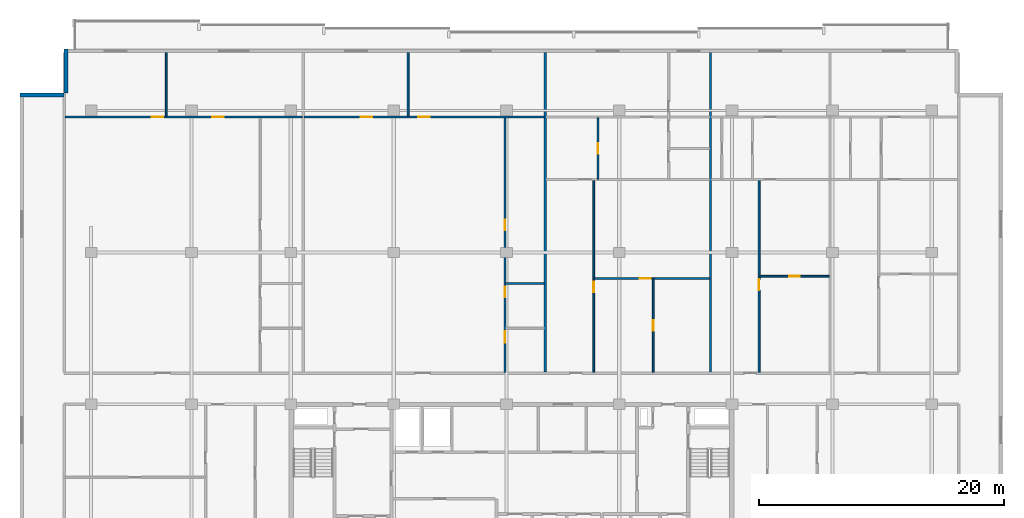
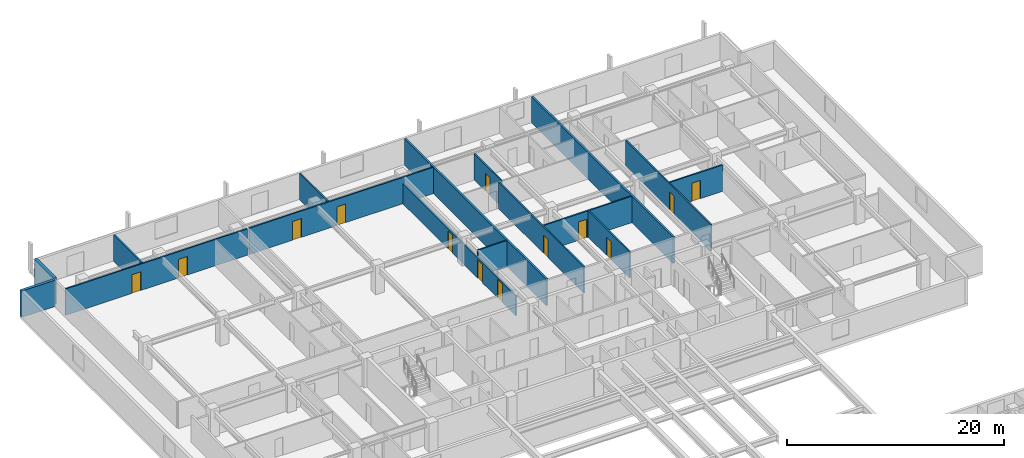
# One storey, part 13 of 21: 16 walls, 13 doors, 13 openings.
"""IFC4 building model written with IfcOpenShell, lengths in metres."""

from ifc_helpers import new_model, si_unit, direction, frame, frame_2d, origin, place, context, subcontext, project, spatial, rectangle, extrude, material, layer, layer_set, type_object, element, fill, save


model = new_model("IFC4")

# Units and contexts
model_context = context("Model", 3, precision=1e-05, world=origin(), true_north=direction((0.0, 1.0)))
body_context = subcontext(model_context, "Body", "Model", "MODEL_VIEW")
ifc_project = project(units=[si_unit("LENGTHUNIT", "METRE"), si_unit("AREAUNIT", "SQUARE_METRE"), si_unit("VOLUMEUNIT", "CUBIC_METRE"), si_unit("PLANEANGLEUNIT", "RADIAN"), si_unit("MASSUNIT", "GRAM", prefix="KILO")], contexts=[model_context])

# Site, building, storey
site_placement = place(None, origin())
site = spatial("IfcSite", under=ifc_project, at=site_placement, CompositionType="ELEMENT")
building_placement = place(site_placement, origin())
building = spatial("IfcBuilding", under=site, at=building_placement, Name="Korimba Cascade Residences", CompositionType="ELEMENT")
storey_placement = place(building_placement, frame((0.0, 0.0, 136.050048828125)))
storey = spatial("IfcBuildingStorey", under=building, at=storey_placement, Name="L39", CompositionType="ELEMENT", Elevation=136.050048828125)

# Walls
ifc_material_1 = material(Name="Precast concrete C40/50", Category="concrete")
ifc_layer_1 = layer(ifc_material_1, 0.300048828125)
ifc_layer_set_1 = layer_set([ifc_layer_1], Name="Precast concrete C40/50")
wall_type_1 = type_object("IfcWallType", Name="EW-STONE-300", PredefinedType="STANDARD", material=ifc_layer_set_1)
wall_1_placement = place(storey_placement, frame((57.75, 96.199951171875, 0.0), z_axis=(0.0, 0.0, 1.0), x_axis=(0.0, -1.0, 0.0)))
element("IfcWall", 1, at=wall_1_placement, inside=storey, type_object=wall_type_1, Name="L39 T1 Perimeter Stone Wall E07", PredefinedType="STANDARD", context=body_context, shape_type="SweptSolid", body=[
    extrude(rectangle(XDim=3.599853515625, YDim=0.300048828125, at=frame_2d((1.7998046875, 0.0))), origin(), (0.0, 0.0, 1.0), 2.9599609375),
])
wall_2_placement = place(storey_placement, frame((57.60009765625, 92.449951171875, 0.0), z_axis=(0.0, 0.0, 1.0), x_axis=(-1.0, 0.0, 0.0)))
element("IfcWall", 2, at=wall_2_placement, inside=storey, type_object=wall_type_1, Name="L39 T1 Perimeter Stone Wall E08", PredefinedType="STANDARD", context=body_context, shape_type="SweptSolid", body=[
    extrude(rectangle(XDim=3.60009765625, YDim=0.300048828125, at=frame_2d((1.800048828125, 0.0))), origin(), (0.0, 0.0, 1.0), 2.9599609375),
])
ifc_layer_2 = layer(ifc_material_1, 0.199951171875)
ifc_layer_set_2 = layer_set([ifc_layer_2], Name="Precast concrete C40/50")
wall_type_2 = type_object("IfcWallType", Name="WAL-IT-200", PredefinedType="PARTITIONING", material=ifc_layer_set_2)
for number, where, z_axis, x_axis, name in (
    (3, (96.85009765625, 69.830078125, 0.0), (0.0, 0.0, 1.0), (0.0, 1.0, 0.0), "L39 Partition Wall WAL-L39-T1-DEM-2"),
    (4, (110.35009765625, 69.830078125, 0.0), (0.0, 0.0, 1.0), (0.0, 1.0, 0.0), "L39 Partition Wall WAL-L39-T1-DEM-3"),
):
    element("IfcWall", number, at=place(storey_placement, frame(where, z_axis=z_axis, x_axis=x_axis)), inside=storey, type_object=wall_type_2, Name=name, PredefinedType="PARTITIONING", context=body_context, shape_type="SweptSolid", body=[
        extrude(rectangle(XDim=26.06982421875, YDim=0.199951171875, at=frame_2d((13.034912109375, 0.0))), origin(), (0.0, 0.0, 1.0), 2.9599609375),
    ])
ifc_material_2 = material(Name="Insulated Acoustic Stud Partition", Category="gypsum")
ifc_layer_3 = layer(ifc_material_2, 0.14990234375)
ifc_layer_set_3 = layer_set([ifc_layer_3], Name="Insulated Acoustic Stud Partition")
wall_type_3 = type_object("IfcWallType", Name="WAL-PART-150", PredefinedType="PARTITIONING", material=ifc_layer_set_3)
wall_3_placement = place(storey_placement, frame((65.929931640625, 90.72998046875, 0.0), z_axis=(0.0, 0.0, 1.0), x_axis=(0.0, 1.0, 0.0)))
element("IfcWall", 5, at=wall_3_placement, inside=storey, type_object=wall_type_3, Name="L39 Partition Wall WAL-L39-T1-U01-OUTV", PredefinedType="PARTITIONING", context=body_context, shape_type="SweptSolid", body=[
    extrude(rectangle(XDim=5.169921875, YDim=0.14990234375, at=frame_2d((2.5849609375, 0.0))), origin(), (0.0, 0.0, 1.0), 2.9599609375),
])

# Wall, openings, doors
wall_4_placement = place(storey_placement, frame((57.679931640625, 90.64990234375, 0.0), z_axis=(0.0, 0.0, 1.0), x_axis=(1.0, 0.0, 0.0)))
wall_4 = element("IfcWall", 6, at=wall_4_placement, inside=storey, type_object=wall_type_3, Name="L39 Partition Wall WAL-L39-T1-U01-HZ", PredefinedType="PARTITIONING", context=body_context, shape_type="SweptSolid", body=[
    extrude(rectangle(XDim=19.340087890625, YDim=0.14990234375, at=frame_2d((9.669921875, 0.0))), origin(), (0.0, 0.0, 1.0), 2.9599609375),
])
opening_1_placement = place(wall_4_placement, frame((7.06005859375, 0.0, 0.0)))
opening_1 = element("IfcOpeningElement", 7, at=opening_1_placement, cuts=wall_4, Name="Opening D-IN0", PredefinedType="OPENING", context=body_context, shape_type="SweptSolid", body=[
    extrude(rectangle(XDim=0.93994140625, YDim=2.10009765625, at=frame_2d((0.469970703125, 1.050048828125))), frame((0.0, 0.0849609375, 0.0), z_axis=(0.0, -1.0, 0.0), x_axis=(1.0, 0.0, 0.0)), (0.0, 0.0, 1.0), 0.169921875),
])
opening_2_placement = place(wall_4_placement, frame((11.98876953125, 0.0, 0.0)))
opening_2 = element("IfcOpeningElement", 8, at=opening_2_placement, cuts=wall_4, Name="Opening D-IN0", PredefinedType="OPENING", context=body_context, shape_type="SweptSolid", body=[
    extrude(rectangle(XDim=0.93994140625, YDim=2.10009765625, at=frame_2d((0.469970703125, 1.050048828125))), frame((0.0, 0.0849609375, 0.0), z_axis=(0.0, -1.0, 0.0), x_axis=(1.0, 0.0, 0.0)), (0.0, 0.0, 1.0), 0.169921875),
])
ifc_material_3 = material(Name="Acoustic Timber Living Archway Door", Category="wood")
door_type_1 = type_object("IfcDoorType", Name="DR-INT-950", OperationType="NOTDEFINED", PredefinedType="DOOR", material=ifc_material_3)
door_1_placement = place(opening_1_placement, origin())
door_1 = element("IfcDoor", 9, at=door_1_placement, inside=storey, type_object=door_type_1, Name="L39-T1-U01 Executive Co-Working Office Door", OperationType="SINGLE_SWING_LEFT", OverallHeight=2.10009765625, OverallWidth=0.93994140625, PredefinedType="DOOR", context=body_context, shape_type="SweptSolid", body=[
    extrude(rectangle(XDim=0.93994140625, YDim=2.10009765625, at=frame_2d((0.469970703125, 1.050048828125))), frame((0.0, 0.02490234375, 0.0), z_axis=(0.0, -1.0, 0.0), x_axis=(1.0, 0.0, 0.0)), (0.0, 0.0, 1.0), 0.050048828125),
])
fill(opening_1, door_1)
door_2_placement = place(opening_2_placement, origin())
door_2 = element("IfcDoor", 10, at=door_2_placement, inside=storey, type_object=door_type_1, Name="L39-T1-U01 Focus Workstation Office Door", OperationType="SINGLE_SWING_RIGHT", OverallHeight=2.10009765625, OverallWidth=0.93994140625, PredefinedType="DOOR", context=body_context, shape_type="SweptSolid", body=[
    extrude(rectangle(XDim=0.93994140625, YDim=2.10009765625, at=frame_2d((0.469970703125, 1.050048828125))), frame((0.0, 0.02490234375, 0.0), z_axis=(0.0, -1.0, 0.0), x_axis=(1.0, 0.0, 0.0)), (0.0, 0.0, 1.0), 0.050048828125),
])
fill(opening_2, door_2)

# Wall
wall_5_placement = place(storey_placement, frame((93.639892578125, 77.070068359375, 0.0), z_axis=(0.0, 0.0, 1.0), x_axis=(1.0, 0.0, 0.0)))
element("IfcWall", 11, at=wall_5_placement, inside=storey, type_object=wall_type_3, Name="L39 Partition Wall WAL-L39-T1-U02-WCH2", PredefinedType="PARTITIONING", context=body_context, shape_type="SweptSolid", body=[
    extrude(rectangle(XDim=3.130126953125, YDim=0.14990234375, at=frame_2d((1.56494140625, 0.0))), origin(), (0.0, 0.0, 1.0), 2.9599609375),
])

# Wall, openings, doors
wall_6_placement = place(storey_placement, frame((93.580078125, 69.81005859375, 0.0), z_axis=(0.0, 0.0, 1.0), x_axis=(0.0, 1.0, 0.0)))
wall_6 = element("IfcWall", 12, at=wall_6_placement, inside=storey, type_object=wall_type_3, Name="L39 Partition Wall WAL-L39-T1-U02-WCV", PredefinedType="PARTITIONING", context=body_context, shape_type="SweptSolid", body=[
    extrude(rectangle(XDim=20.780029296875, YDim=0.14990234375, at=frame_2d((10.39013671875, 0.0))), origin(), (0.0, 0.0, 1.0), 2.26708984375),
])
opening_3_placement = place(wall_6_placement, frame((2.406005859375, 0.0, 0.0)))
opening_3 = element("IfcOpeningElement", 13, at=opening_3_placement, cuts=wall_6, Name="Opening D-AC1", PredefinedType="OPENING", context=body_context, shape_type="SweptSolid", body=[
    extrude(rectangle(XDim=0.9599609375, YDim=2.10009765625, at=frame_2d((0.47998046875, 1.050048828125))), frame((0.0, 0.0849609375, 0.0), z_axis=(0.0, -1.0, 0.0), x_axis=(1.0, 0.0, 0.0)), (0.0, 0.0, 1.0), 0.169921875),
])
opening_4_placement = place(wall_6_placement, frame((6.132568359375, 0.0, 0.0)))
opening_4 = element("IfcOpeningElement", 14, at=opening_4_placement, cuts=wall_6, Name="Opening D-IN2", PredefinedType="OPENING", context=body_context, shape_type="SweptSolid", body=[
    extrude(rectangle(XDim=0.8798828125, YDim=2.06005859375, at=frame_2d((0.43994140625, 1.030029296875))), frame((0.0, 0.0849609375, 0.0), z_axis=(0.0, -1.0, 0.0), x_axis=(1.0, 0.0, 0.0)), (0.0, 0.0, 1.0), 0.169921875),
])
opening_5_placement = place(wall_6_placement, frame((11.61474609375, 0.0, 0.0)))
opening_5 = element("IfcOpeningElement", 15, at=opening_5_placement, cuts=wall_6, Name="Opening D-BT1", PredefinedType="OPENING", context=body_context, shape_type="SweptSolid", body=[
    extrude(rectangle(XDim=0.840087890625, YDim=2.0400390625, at=frame_2d((0.419921875, 1.02001953125))), frame((0.0, 0.0849609375, 0.0), z_axis=(0.0, -1.0, 0.0), x_axis=(1.0, 0.0, 0.0)), (0.0, 0.0, 1.0), 0.169921875),
])
ifc_material_4 = material(Name="Accessible Acoustic Timber WC Door", Category="wood")
door_type_2 = type_object("IfcDoorType", Name="DR-ACC-950", OperationType="NOTDEFINED", PredefinedType="DOOR", material=ifc_material_4)
door_3_placement = place(opening_3_placement, origin())
door_3 = element("IfcDoor", 16, at=door_3_placement, inside=storey, type_object=door_type_2, Name="L39-T1-U02 Accessible WC Door", OperationType="SINGLE_SWING_LEFT", OverallHeight=2.10009765625, OverallWidth=0.9599609375, PredefinedType="DOOR", context=body_context, shape_type="SweptSolid", body=[
    extrude(rectangle(XDim=0.9599609375, YDim=2.10009765625, at=frame_2d((0.47998046875, 1.050048828125))), frame((0.0, 0.02490234375, 0.0), z_axis=(0.0, -1.0, 0.0), x_axis=(1.0, 0.0, 0.0)), (0.0, 0.0, 1.0), 0.050048828125),
])
fill(opening_3, door_3)
ifc_material_5 = material(Name="Moisture-Resistant Bathroom Timber Door", Category="wood")
door_type_3 = type_object("IfcDoorType", Name="DR-INT-850", OperationType="NOTDEFINED", PredefinedType="DOOR", material=ifc_material_5)
door_4_placement = place(opening_5_placement, origin())
door_4 = element("IfcDoor", 17, at=door_4_placement, inside=storey, type_object=door_type_3, Name="L39-T1-U02 Suite Store Door", OperationType="SINGLE_SWING_LEFT", OverallHeight=2.0400390625, OverallWidth=0.840087890625, PredefinedType="DOOR", context=body_context, shape_type="SweptSolid", body=[
    extrude(rectangle(XDim=0.840087890625, YDim=2.0400390625, at=frame_2d((0.419921875, 1.02001953125))), frame((0.0, 0.02490234375, 0.0), z_axis=(0.0, -1.0, 0.0), x_axis=(1.0, 0.0, 0.0)), (0.0, 0.0, 1.0), 0.050048828125),
])
fill(opening_5, door_4)
ifc_material_6 = material(Name="Acoustic Timber Bedroom Door", Category="wood")
door_type_4 = type_object("IfcDoorType", Name="DR-INT-880", OperationType="NOTDEFINED", PredefinedType="DOOR", material=ifc_material_6)
door_5_placement = place(opening_4_placement, origin())
door_5 = element("IfcDoor", 18, at=door_5_placement, inside=storey, type_object=door_type_4, Name="L39-T1-U02 Restroom WC Door", OperationType="SINGLE_SWING_RIGHT", OverallHeight=2.06005859375, OverallWidth=0.8798828125, PredefinedType="DOOR", context=body_context, shape_type="SweptSolid", body=[
    extrude(rectangle(XDim=0.8798828125, YDim=2.06005859375, at=frame_2d((0.43994140625, 1.030029296875))), frame((0.0, 0.02490234375, 0.0), z_axis=(0.0, -1.0, 0.0), x_axis=(1.0, 0.0, 0.0)), (0.0, 0.0, 1.0), 0.050048828125),
])
fill(opening_4, door_5)

# Wall
wall_7_placement = place(storey_placement, frame((85.669921875, 90.72998046875, 0.0), z_axis=(0.0, 0.0, 1.0), x_axis=(0.0, 1.0, 0.0)))
element("IfcWall", 19, at=wall_7_placement, inside=storey, type_object=wall_type_3, Name="L39 Partition Wall WAL-L39-T1-U02-OUTV", PredefinedType="PARTITIONING", context=body_context, shape_type="SweptSolid", body=[
    extrude(rectangle(XDim=5.169921875, YDim=0.14990234375, at=frame_2d((2.5849609375, 0.0))), origin(), (0.0, 0.0, 1.0), 2.9599609375),
])

# Wall, openings, doors
wall_8_placement = place(storey_placement, frame((77.179931640625, 90.64990234375, 0.0), z_axis=(0.0, 0.0, 1.0), x_axis=(1.0, 0.0, 0.0)))
wall_8 = element("IfcWall", 20, at=wall_8_placement, inside=storey, type_object=wall_type_3, Name="L39 Partition Wall WAL-L39-T1-U02-HZ", PredefinedType="PARTITIONING", context=body_context, shape_type="SweptSolid", body=[
    extrude(rectangle(XDim=19.590087890625, YDim=0.14990234375, at=frame_2d((9.794921875, 0.0))), origin(), (0.0, 0.0, 1.0), 2.9599609375),
])
opening_6_placement = place(wall_8_placement, frame((4.62109375, 0.0, 0.0)))
opening_6 = element("IfcOpeningElement", 21, at=opening_6_placement, cuts=wall_8, Name="Opening D-IN0", PredefinedType="OPENING", context=body_context, shape_type="SweptSolid", body=[
    extrude(rectangle(XDim=0.93994140625, YDim=2.10009765625, at=frame_2d((0.469970703125, 1.050048828125))), frame((0.0, 0.0849609375, 0.0), z_axis=(0.0, -1.0, 0.0), x_axis=(1.0, 0.0, 0.0)), (0.0, 0.0, 1.0), 0.169921875),
])
opening_7_placement = place(wall_8_placement, frame((9.324951171875, 0.0, 0.0)))
opening_7 = element("IfcOpeningElement", 22, at=opening_7_placement, cuts=wall_8, Name="Opening D-IN0", PredefinedType="OPENING", context=body_context, shape_type="SweptSolid", body=[
    extrude(rectangle(XDim=0.93994140625, YDim=2.10009765625, at=frame_2d((0.469970703125, 1.050048828125))), frame((0.0, 0.0849609375, 0.0), z_axis=(0.0, -1.0, 0.0), x_axis=(1.0, 0.0, 0.0)), (0.0, 0.0, 1.0), 0.169921875),
])
door_6_placement = place(opening_6_placement, origin())
door_6 = element("IfcDoor", 23, at=door_6_placement, inside=storey, type_object=door_type_1, Name="L39-T1-U02 Fitness Pilates Gym Door", OperationType="SINGLE_SWING_RIGHT", OverallHeight=2.10009765625, OverallWidth=0.93994140625, PredefinedType="DOOR", context=body_context, shape_type="SweptSolid", body=[
    extrude(rectangle(XDim=0.93994140625, YDim=2.10009765625, at=frame_2d((0.469970703125, 1.050048828125))), frame((0.0, 0.02490234375, 0.0), z_axis=(0.0, -1.0, 0.0), x_axis=(1.0, 0.0, 0.0)), (0.0, 0.0, 1.0), 0.050048828125),
])
fill(opening_6, door_6)
door_7_placement = place(opening_7_placement, origin())
door_7 = element("IfcDoor", 24, at=door_7_placement, inside=storey, type_object=door_type_1, Name="L39-T1-U02 Private Screening Cinema Door", OperationType="SINGLE_SWING_LEFT", OverallHeight=2.10009765625, OverallWidth=0.93994140625, PredefinedType="DOOR", context=body_context, shape_type="SweptSolid", body=[
    extrude(rectangle(XDim=0.93994140625, YDim=2.10009765625, at=frame_2d((0.469970703125, 1.050048828125))), frame((0.0, 0.02490234375, 0.0), z_axis=(0.0, -1.0, 0.0), x_axis=(1.0, 0.0, 0.0)), (0.0, 0.0, 1.0), 0.050048828125),
])
fill(opening_7, door_7)

# Wall, opening, door
wall_9_placement = place(storey_placement, frame((105.675048828125, 69.81005859375, 0.0), z_axis=(0.0, 0.0, 1.0), x_axis=(0.0, 1.0, 0.0)))
wall_9 = element("IfcWall", 25, at=wall_9_placement, inside=storey, type_object=wall_type_3, Name="L39 Partition Wall WAL-L39-T1-U03-FMV", PredefinedType="PARTITIONING", context=body_context, shape_type="SweptSolid", body=[
    extrude(rectangle(XDim=7.669921875, YDim=0.14990234375, at=frame_2d((3.8349609375, 0.0))), origin(), (0.0, 0.0, 1.0), 2.9599609375),
])
opening_8_placement = place(wall_9_placement, frame((3.4150390625, 0.0, 0.0)))
opening_8 = element("IfcOpeningElement", 26, at=opening_8_placement, cuts=wall_9, Name="Opening D-BT1", PredefinedType="OPENING", context=body_context, shape_type="SweptSolid", body=[
    extrude(rectangle(XDim=0.840087890625, YDim=2.0400390625, at=frame_2d((0.419921875, 1.02001953125))), frame((0.0, 0.0849609375, 0.0), z_axis=(0.0, -1.0, 0.0), x_axis=(1.0, 0.0, 0.0)), (0.0, 0.0, 1.0), 0.169921875),
])
door_8_placement = place(opening_8_placement, origin())
door_8 = element("IfcDoor", 27, at=door_8_placement, inside=storey, type_object=door_type_3, Name="L39-T1-U03 Wardrobe Door", OperationType="SINGLE_SWING_RIGHT", OverallHeight=2.0400390625, OverallWidth=0.840087890625, PredefinedType="DOOR", context=body_context, shape_type="SweptSolid", body=[
    extrude(rectangle(XDim=0.840087890625, YDim=2.0400390625, at=frame_2d((0.419921875, 1.02001953125))), frame((0.0, 0.02490234375, 0.0), z_axis=(0.0, -1.0, 0.0), x_axis=(1.0, 0.0, 0.0)), (0.0, 0.0, 1.0), 0.050048828125),
])
fill(opening_8, door_8)

wall_10_placement = place(storey_placement, frame((100.8798828125, 77.47998046875, 0.0), z_axis=(0.0, 0.0, 1.0), x_axis=(1.0, 0.0, 0.0)))
wall_10 = element("IfcWall", 28, at=wall_10_placement, inside=storey, type_object=wall_type_3, Name="L39 Partition Wall WAL-L39-T1-U03-FMH", PredefinedType="PARTITIONING", context=body_context, shape_type="SweptSolid", body=[
    extrude(rectangle(XDim=9.39013671875, YDim=0.14990234375, at=frame_2d((4.695068359375, 0.0))), origin(), (0.0, 0.0, 1.0), 2.9599609375),
])
opening_9_placement = place(wall_10_placement, frame((3.695068359375, 0.0, 0.0)))
opening_9 = element("IfcOpeningElement", 29, at=opening_9_placement, cuts=wall_10, Name="Opening D-IN2", PredefinedType="OPENING", context=body_context, shape_type="SweptSolid", body=[
    extrude(rectangle(XDim=0.8798828125, YDim=2.06005859375, at=frame_2d((0.43994140625, 1.030029296875))), frame((0.0, 0.0849609375, 0.0), z_axis=(0.0, -1.0, 0.0), x_axis=(1.0, 0.0, 0.0)), (0.0, 0.0, 1.0), 0.169921875),
])
door_9_placement = place(opening_9_placement, origin())
door_9 = element("IfcDoor", 30, at=door_9_placement, inside=storey, type_object=door_type_4, Name="L39-T1-U03 Library Salon Door", OperationType="SINGLE_SWING_LEFT", OverallHeight=2.06005859375, OverallWidth=0.8798828125, PredefinedType="DOOR", context=body_context, shape_type="SweptSolid", body=[
    extrude(rectangle(XDim=0.8798828125, YDim=2.06005859375, at=frame_2d((0.43994140625, 1.030029296875))), frame((0.0, 0.02490234375, 0.0), z_axis=(0.0, -1.0, 0.0), x_axis=(1.0, 0.0, 0.0)), (0.0, 0.0, 1.0), 0.050048828125),
])
fill(opening_9, door_9)

wall_11_placement = place(storey_placement, frame((100.820068359375, 69.81005859375, 0.0), z_axis=(0.0, 0.0, 1.0), x_axis=(0.0, 1.0, 0.0)))
wall_11 = element("IfcWall", 31, at=wall_11_placement, inside=storey, type_object=wall_type_3, Name="L39 Partition Wall WAL-L39-T1-U03-FV", PredefinedType="PARTITIONING", context=body_context, shape_type="SweptSolid", body=[
    extrude(rectangle(XDim=15.699951171875, YDim=0.14990234375, at=frame_2d((7.85009765625, 0.0))), origin(), (0.0, 0.0, 1.0), 2.9599609375),
])
opening_10_placement = place(wall_11_placement, frame((6.5400390625, 0.0, 0.0)))
opening_10 = element("IfcOpeningElement", 32, at=opening_10_placement, cuts=wall_11, Name="Opening D-IN2", PredefinedType="OPENING", context=body_context, shape_type="SweptSolid", body=[
    extrude(rectangle(XDim=0.8798828125, YDim=2.06005859375, at=frame_2d((0.43994140625, 1.030029296875))), frame((0.0, 0.0849609375, 0.0), z_axis=(0.0, -1.0, 0.0), x_axis=(1.0, 0.0, 0.0)), (0.0, 0.0, 1.0), 0.169921875),
])
door_10_placement = place(opening_10_placement, origin())
door_10 = element("IfcDoor", 33, at=door_10_placement, inside=storey, type_object=door_type_4, Name="L39-T1-U03 Media Lounge Door", OperationType="SINGLE_SWING_RIGHT", OverallHeight=2.06005859375, OverallWidth=0.8798828125, PredefinedType="DOOR", context=body_context, shape_type="SweptSolid", body=[
    extrude(rectangle(XDim=0.8798828125, YDim=2.06005859375, at=frame_2d((0.43994140625, 1.030029296875))), frame((0.0, 0.02490234375, 0.0), z_axis=(0.0, -1.0, 0.0), x_axis=(1.0, 0.0, 0.0)), (0.0, 0.0, 1.0), 0.050048828125),
])
fill(opening_10, door_10)

wall_12_placement = place(storey_placement, frame((101.169921875, 85.590087890625, 0.0), z_axis=(0.0, 0.0, 1.0), x_axis=(0.0, 1.0, 0.0)))
wall_12 = element("IfcWall", 34, at=wall_12_placement, inside=storey, type_object=wall_type_3, Name="L39 Partition Wall WAL-L39-T1-U03-VDIN", PredefinedType="PARTITIONING", context=body_context, shape_type="SweptSolid", body=[
    extrude(rectangle(XDim=5.0, YDim=0.14990234375, at=frame_2d((2.5, 0.0))), origin(), (0.0, 0.0, 1.0), 2.9599609375),
])
opening_11_placement = place(wall_12_placement, frame((2.06005859375, 0.0, 0.0)))
opening_11 = element("IfcOpeningElement", 35, at=opening_11_placement, cuts=wall_12, Name="Opening D-IN2", PredefinedType="OPENING", context=body_context, shape_type="SweptSolid", body=[
    extrude(rectangle(XDim=0.8798828125, YDim=2.06005859375, at=frame_2d((0.43994140625, 1.030029296875))), frame((0.0, 0.0849609375, 0.0), z_axis=(0.0, -1.0, 0.0), x_axis=(1.0, 0.0, 0.0)), (0.0, 0.0, 1.0), 0.169921875),
])
door_11_placement = place(opening_11_placement, origin())
door_11 = element("IfcDoor", 36, at=door_11_placement, inside=storey, type_object=door_type_4, Name="L39-T1-U03 Dining Room Door", OperationType="SINGLE_SWING_LEFT", OverallHeight=2.06005859375, OverallWidth=0.8798828125, PredefinedType="DOOR", context=body_context, shape_type="SweptSolid", body=[
    extrude(rectangle(XDim=0.8798828125, YDim=2.06005859375, at=frame_2d((0.43994140625, 1.030029296875))), frame((0.0, 0.02490234375, 0.0), z_axis=(0.0, -1.0, 0.0), x_axis=(1.0, 0.0, 0.0)), (0.0, 0.0, 1.0), 0.050048828125),
])
fill(opening_11, door_11)

wall_13_placement = place(storey_placement, frame((114.3798828125, 77.659912109375, 0.0), z_axis=(0.0, 0.0, 1.0), x_axis=(1.0, 0.0, 0.0)))
wall_13 = element("IfcWall", 37, at=wall_13_placement, inside=storey, type_object=wall_type_3, Name="L39 Partition Wall WAL-L39-T1-U04-FMH", PredefinedType="PARTITIONING", context=body_context, shape_type="SweptSolid", body=[
    extrude(rectangle(XDim=5.64013671875, YDim=0.14990234375, at=frame_2d((2.820068359375, 0.0))), origin(), (0.0, 0.0, 1.0), 2.9599609375),
])
opening_12_placement = place(wall_13_placement, frame((2.3798828125, 0.0, 0.0)))
opening_12 = element("IfcOpeningElement", 38, at=opening_12_placement, cuts=wall_13, Name="Opening D-IN2", PredefinedType="OPENING", context=body_context, shape_type="SweptSolid", body=[
    extrude(rectangle(XDim=0.8798828125, YDim=2.06005859375, at=frame_2d((0.43994140625, 1.030029296875))), frame((0.0, 0.0849609375, 0.0), z_axis=(0.0, -1.0, 0.0), x_axis=(1.0, 0.0, 0.0)), (0.0, 0.0, 1.0), 0.169921875),
])
door_12_placement = place(opening_12_placement, origin())
door_12 = element("IfcDoor", 39, at=door_12_placement, inside=storey, type_object=door_type_4, Name="L39-T1-U04 Library Salon Door", OperationType="SINGLE_SWING_LEFT", OverallHeight=2.06005859375, OverallWidth=0.8798828125, PredefinedType="DOOR", context=body_context, shape_type="SweptSolid", body=[
    extrude(rectangle(XDim=0.8798828125, YDim=2.06005859375, at=frame_2d((0.43994140625, 1.030029296875))), frame((0.0, 0.02490234375, 0.0), z_axis=(0.0, -1.0, 0.0), x_axis=(1.0, 0.0, 0.0)), (0.0, 0.0, 1.0), 0.050048828125),
])
fill(opening_12, door_12)

wall_14_placement = place(storey_placement, frame((114.320068359375, 69.81005859375, 0.0), z_axis=(0.0, 0.0, 1.0), x_axis=(0.0, 1.0, 0.0)))
wall_14 = element("IfcWall", 40, at=wall_14_placement, inside=storey, type_object=wall_type_3, Name="L39 Partition Wall WAL-L39-T1-U04-FV", PredefinedType="PARTITIONING", context=body_context, shape_type="SweptSolid", body=[
    extrude(rectangle(XDim=15.699951171875, YDim=0.14990234375, at=frame_2d((7.85009765625, 0.0))), origin(), (0.0, 0.0, 1.0), 2.9599609375),
])
opening_13_placement = place(wall_14_placement, frame((6.719970703125, 0.0, 0.0)))
opening_13 = element("IfcOpeningElement", 41, at=opening_13_placement, cuts=wall_14, Name="Opening D-IN2", PredefinedType="OPENING", context=body_context, shape_type="SweptSolid", body=[
    extrude(rectangle(XDim=0.8798828125, YDim=2.06005859375, at=frame_2d((0.43994140625, 1.030029296875))), frame((0.0, 0.0849609375, 0.0), z_axis=(0.0, -1.0, 0.0), x_axis=(1.0, 0.0, 0.0)), (0.0, 0.0, 1.0), 0.169921875),
])
door_13_placement = place(opening_13_placement, origin())
door_13 = element("IfcDoor", 42, at=door_13_placement, inside=storey, type_object=door_type_4, Name="L39-T1-U04 Media Lounge Door", OperationType="SINGLE_SWING_RIGHT", OverallHeight=2.06005859375, OverallWidth=0.8798828125, PredefinedType="DOOR", context=body_context, shape_type="SweptSolid", body=[
    extrude(rectangle(XDim=0.8798828125, YDim=2.06005859375, at=frame_2d((0.43994140625, 1.030029296875))), frame((0.0, 0.02490234375, 0.0), z_axis=(0.0, -1.0, 0.0), x_axis=(1.0, 0.0, 0.0)), (0.0, 0.0, 1.0), 0.050048828125),
])
fill(opening_13, door_13)

save(model, "model.ifc")
